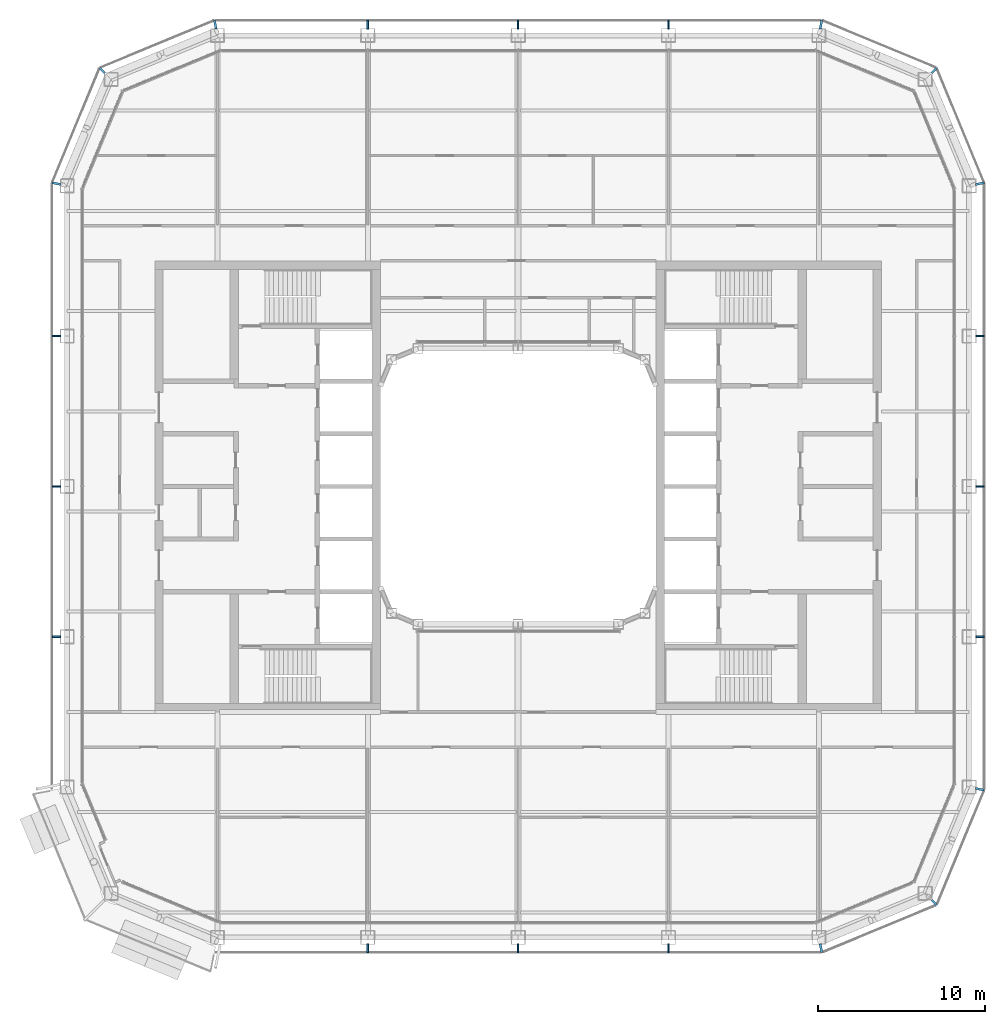
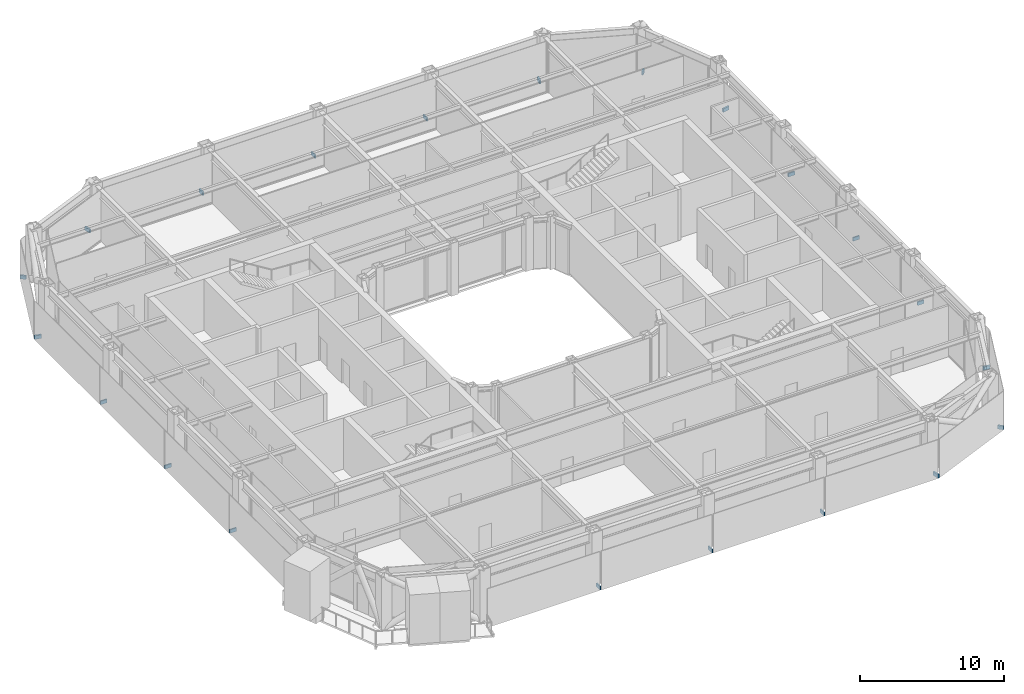
# One storey, part 18 of 23: 21 discrete accessories.
"""IFC4 building model written with IfcOpenShell, lengths in metres."""

from ifc_helpers import new_model, si_unit, direction, frame, origin, origin_2d, place, context, subcontext, project, spatial, rectangle, extrude, material, type_object, element, save


model = new_model("IFC4")

# Units and contexts
model_context = context("Model", 3, precision=1e-05, world=origin(), true_north=direction((0.0, 1.0)))
body_context = subcontext(model_context, "Body", "Model", "MODEL_VIEW")
ifc_project = project(units=[si_unit("LENGTHUNIT", "METRE"), si_unit("AREAUNIT", "SQUARE_METRE"), si_unit("VOLUMEUNIT", "CUBIC_METRE"), si_unit("PLANEANGLEUNIT", "RADIAN"), si_unit("MASSUNIT", "GRAM", prefix="KILO")], contexts=[model_context])

# Site, building, storey
site_placement = place(None, origin())
site = spatial("IfcSite", under=ifc_project, at=site_placement, CompositionType="ELEMENT")
building_placement = place(site_placement, origin())
building = spatial("IfcBuilding", under=site, at=building_placement, Name="Siwar Civic Tower", CompositionType="ELEMENT")
storey_placement = place(building_placement, frame((0.0, 0.0, 197.199951171875)))
storey = spatial("IfcBuildingStorey", under=building, at=storey_placement, Name="L42", CompositionType="ELEMENT", Elevation=197.199951171875)

# Discrete accessories
ifc_material = material(Name="Stainless steel 316", Category="steel")
discrete_accessory_type = type_object("IfcDiscreteAccessoryType", Name="ENV-BRACKET", PredefinedType="BRACKET", material=ifc_material)
for number, where, z_axis, x_axis, name in (
    (1, (27.639892578125, -9.0, -0.14990234375), (0.0, 0.0, 1.0), (1.0, 0.0, 0.0), "Bracket outer skin joint E-01"),
    (2, (27.639892578125, 0.0, -0.14990234375), (0.0, 0.0, 1.0), (1.0, 0.0, 0.0), "Bracket outer skin joint E-02"),
    (3, (27.639892578125, 9.0, -0.14990234375), (0.0, 0.0, 1.0), (1.0, 0.0, 0.0), "Bracket outer skin joint E-03"),
    (4, (9.0, 27.639892578125, -0.14990234375), (0.0, 0.0, 1.0), (0.0, 1.0, 0.0), "Bracket outer skin joint N-01"),
    (5, (0.0, 27.639892578125, -0.14990234375), (0.0, 0.0, 1.0), (0.0, 1.0, 0.0), "Bracket outer skin joint N-02"),
    (6, (-9.0, 27.639892578125, -0.14990234375), (0.0, 0.0, 1.0), (0.0, 1.0, 0.0), "Bracket outer skin joint N-03"),
    (7, (-9.0, -27.639892578125, -0.14990234375), (0.0, 0.0, 1.0), (0.0, -1.0, 0.0), "Bracket outer skin joint S-01"),
    (8, (0.0, -27.639892578125, -0.14990234375), (0.0, 0.0, 1.0), (0.0, -1.0, 0.0), "Bracket outer skin joint S-02"),
    (9, (9.0, -27.639892578125, -0.14990234375), (0.0, 0.0, 1.0), (0.0, -1.0, 0.0), "Bracket outer skin joint S-03"),
):
    element("IfcDiscreteAccessory", number, at=place(storey_placement, frame(where, z_axis=z_axis, x_axis=x_axis)), inside=storey, type_object=discrete_accessory_type, Name=name, PredefinedType="BRACKET", context=body_context, shape_type="SweptSolid", body=[
        extrude(rectangle(XDim=0.52001953125, YDim=0.10009765625, at=origin_2d()), origin(), (0.0, 0.0, 1.0), 0.300048828125),
    ])
discrete_accessory_1_placement = place(storey_placement, frame((18.12744140625, -27.64013671875, -0.14990234375), z_axis=(0.0, 0.0, 1.0), x_axis=(0.195090322016, -0.980785280403, 0.0)))
element("IfcDiscreteAccessory", 10, at=discrete_accessory_1_placement, inside=storey, type_object=discrete_accessory_type, Name="Bracket outer skin joint V01", PredefinedType="BRACKET", context=body_context, shape_type="SweptSolid", body=[
    extrude(rectangle(XDim=0.52978515625, YDim=0.13720703125, at=origin_2d()), origin(), (0.0, 0.0, 1.0), 0.300048828125),
])
discrete_accessory_2_placement = place(storey_placement, frame((24.9013671875, -24.9013671875, -0.14990234375), z_axis=(0.0, 0.0, 1.0), x_axis=(0.707106781187, -0.707106781187, 0.0)))
element("IfcDiscreteAccessory", 11, at=discrete_accessory_2_placement, inside=storey, type_object=discrete_accessory_type, Name="Bracket outer skin joint V02", PredefinedType="BRACKET", context=body_context, shape_type="SweptSolid", body=[
    extrude(rectangle(XDim=0.428466796875, YDim=0.12939453125, at=origin_2d()), origin(), (0.0, 0.0, 1.0), 0.300048828125),
])
for number, where, z_axis, x_axis, name in (
    (12, (27.64013671875, -18.12744140625, -0.14990234375), (0.0, 0.0, 1.0), (0.980785280403, -0.195090322016, 0.0), "Bracket outer skin joint V03"),
    (13, (27.64013671875, 18.12744140625, -0.14990234375), (0.0, 0.0, 1.0), (0.980785280403, 0.195090322016, 0.0), "Bracket outer skin joint V04"),
):
    element("IfcDiscreteAccessory", number, at=place(storey_placement, frame(where, z_axis=z_axis, x_axis=x_axis)), inside=storey, type_object=discrete_accessory_type, Name=name, PredefinedType="BRACKET", context=body_context, shape_type="SweptSolid", body=[
        extrude(rectangle(XDim=0.52978515625, YDim=0.13720703125, at=origin_2d()), origin(), (0.0, 0.0, 1.0), 0.300048828125),
    ])
discrete_accessory_3_placement = place(storey_placement, frame((24.9013671875, 24.9013671875, -0.14990234375), z_axis=(0.0, 0.0, 1.0), x_axis=(0.707106781187, 0.707106781187, 0.0)))
element("IfcDiscreteAccessory", 14, at=discrete_accessory_3_placement, inside=storey, type_object=discrete_accessory_type, Name="Bracket outer skin joint V05", PredefinedType="BRACKET", context=body_context, shape_type="SweptSolid", body=[
    extrude(rectangle(XDim=0.428466796875, YDim=0.12939453125, at=origin_2d()), origin(), (0.0, 0.0, 1.0), 0.300048828125),
])
for number, where, z_axis, x_axis, name in (
    (15, (18.12744140625, 27.64013671875, -0.14990234375), (0.0, 0.0, 1.0), (0.195090322016, 0.980785280403, 0.0), "Bracket outer skin joint V06"),
    (16, (-18.12744140625, 27.64013671875, -0.14990234375), (0.0, 0.0, 1.0), (-0.195090322016, 0.980785280403, 0.0), "Bracket outer skin joint V07"),
):
    element("IfcDiscreteAccessory", number, at=place(storey_placement, frame(where, z_axis=z_axis, x_axis=x_axis)), inside=storey, type_object=discrete_accessory_type, Name=name, PredefinedType="BRACKET", context=body_context, shape_type="SweptSolid", body=[
        extrude(rectangle(XDim=0.52978515625, YDim=0.13720703125, at=origin_2d()), origin(), (0.0, 0.0, 1.0), 0.300048828125),
    ])
discrete_accessory_4_placement = place(storey_placement, frame((-24.9013671875, 24.9013671875, -0.14990234375), z_axis=(0.0, 0.0, 1.0), x_axis=(-0.707106781187, 0.707106781187, 0.0)))
element("IfcDiscreteAccessory", 17, at=discrete_accessory_4_placement, inside=storey, type_object=discrete_accessory_type, Name="Bracket outer skin joint V08", PredefinedType="BRACKET", context=body_context, shape_type="SweptSolid", body=[
    extrude(rectangle(XDim=0.428466796875, YDim=0.12939453125, at=origin_2d()), origin(), (0.0, 0.0, 1.0), 0.300048828125),
])
discrete_accessory_5_placement = place(storey_placement, frame((-27.64013671875, 18.12744140625, -0.14990234375), z_axis=(0.0, 0.0, 1.0), x_axis=(-0.980785280403, 0.195090322016, 0.0)))
element("IfcDiscreteAccessory", 18, at=discrete_accessory_5_placement, inside=storey, type_object=discrete_accessory_type, Name="Bracket outer skin joint V09", PredefinedType="BRACKET", context=body_context, shape_type="SweptSolid", body=[
    extrude(rectangle(XDim=0.52978515625, YDim=0.13720703125, at=origin_2d()), origin(), (0.0, 0.0, 1.0), 0.300048828125),
])
for number, where, z_axis, x_axis, name in (
    (19, (-27.639892578125, 9.0, -0.14990234375), (0.0, 0.0, 1.0), (-1.0, 0.0, 0.0), "Bracket outer skin joint W-01"),
    (20, (-27.639892578125, 0.0, -0.14990234375), (0.0, 0.0, 1.0), (-1.0, 0.0, 0.0), "Bracket outer skin joint W-02"),
    (21, (-27.639892578125, -9.0, -0.14990234375), (0.0, 0.0, 1.0), (-1.0, 0.0, 0.0), "Bracket outer skin joint W-03"),
):
    element("IfcDiscreteAccessory", number, at=place(storey_placement, frame(where, z_axis=z_axis, x_axis=x_axis)), inside=storey, type_object=discrete_accessory_type, Name=name, PredefinedType="BRACKET", context=body_context, shape_type="SweptSolid", body=[
        extrude(rectangle(XDim=0.52001953125, YDim=0.10009765625, at=origin_2d()), origin(), (0.0, 0.0, 1.0), 0.300048828125),
    ])

save(model, "model.ifc")
